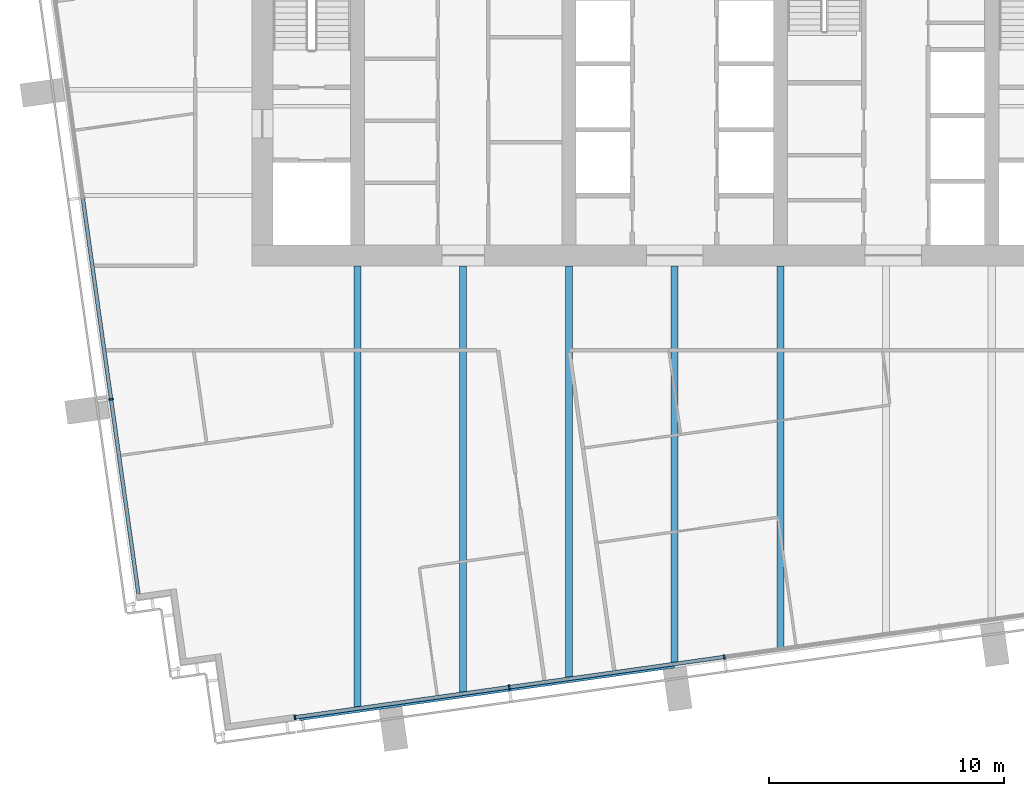
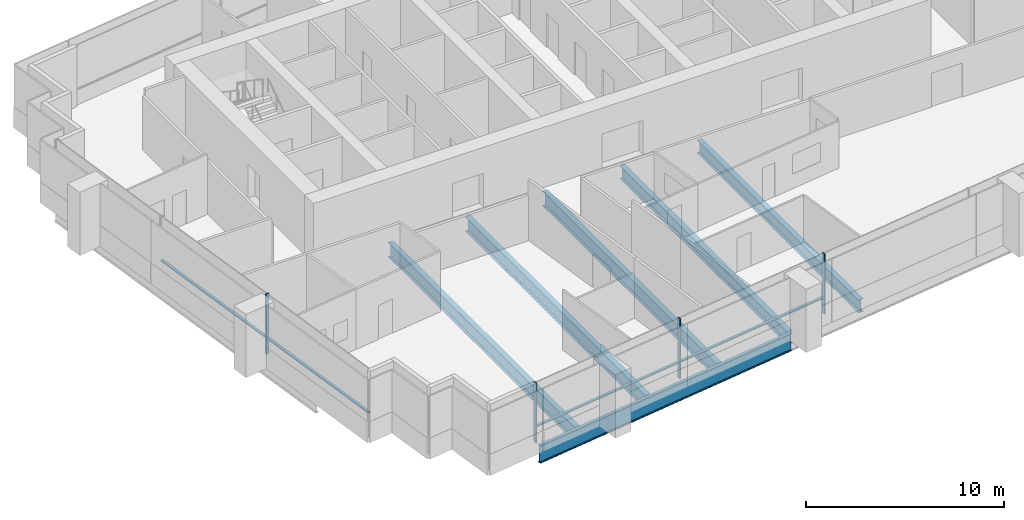
# One storey, part 2 of 15: 8 members, 6 beams, 2 elements without a shape of their own.
"""IFC4 building model written with IfcOpenShell, lengths in metres."""

from ifc_helpers import new_model, si_unit, direction, frame, origin, origin_2d, place, context, subcontext, project, spatial, rectangle, i_section, extrude, material, layer, layer_set, material_profile, profile_set, type_object, element, aggregate, save


model = new_model("IFC4")

# Units and contexts
model_context = context("Model", 3, precision=1e-05, world=origin(), true_north=direction((0.0, 1.0)))
body_context = subcontext(model_context, "Body", "Model", "MODEL_VIEW")
ifc_project = project(units=[si_unit("LENGTHUNIT", "METRE"), si_unit("AREAUNIT", "SQUARE_METRE"), si_unit("VOLUMEUNIT", "CUBIC_METRE"), si_unit("PLANEANGLEUNIT", "RADIAN"), si_unit("MASSUNIT", "GRAM", prefix="KILO")], contexts=[model_context])

# Site, building, storey
site_placement = place(None, origin())
site = spatial("IfcSite", under=ifc_project, at=site_placement, CompositionType="ELEMENT")
building_placement = place(site_placement, origin())
building = spatial("IfcBuilding", under=site, at=building_placement, Name="Rattan Terrace Tower", CompositionType="ELEMENT")
storey_placement = place(building_placement, frame((0.0, 0.0, 262.89990234375)))
storey = spatial("IfcBuildingStorey", under=building, at=storey_placement, Name="L60", CompositionType="ELEMENT", Elevation=262.89990234375)

# Beams
ifc_material_1 = material(Name="Steel S460", Category="steel")
ifc_material_profile_1 = material_profile(ifc_material_1, i_section(OverallWidth=0.179931640625, OverallDepth=1.10009765625, WebThickness=0.01611328125, FlangeThickness=0.050048828125, at=origin_2d()), Name="PG 1100x180-16-50")
ifc_profile_set_1 = profile_set([ifc_material_profile_1], Name="Steel S460")
beam_type_1 = type_object("IfcBeamType", Name="Frame edge girder PG 1100x180-16-50", PredefinedType="SPANDREL", material=ifc_profile_set_1)
beam_1_placement = place(storey_placement, frame((-15.969970703125, -26.77099609375, -0.75), z_axis=(0.990265456284, 0.139191688294, 0.0), x_axis=(-0.139191688294, 0.990265456284, 0.0)))
element("IfcBeam", 1, at=beam_1_placement, inside=storey, type_object=beam_type_1, Name="gdr-L60-001", PredefinedType="SPANDREL", context=body_context, shape_type="SweptSolid", body=[
    extrude(i_section(OverallWidth=0.179931640625, OverallDepth=1.10009765625, WebThickness=0.01611328125, FlangeThickness=0.050048828125, at=origin_2d()), origin(), (0.0, 0.0, 1.0), 16.114013671875),
])
ifc_material_2 = material(Name="Steel S355", Category="steel")
ifc_material_profile_2 = material_profile(ifc_material_2, i_section(OverallWidth=0.300048828125, OverallDepth=0.800048828125, WebThickness=0.017578125, FlangeThickness=0.032958984375, FilletRadius=0.030029296875, at=origin_2d()), Name="HE 800 B")
ifc_profile_set_2 = profile_set([ifc_material_profile_2], Name="Steel S355")
beam_type_2 = type_object("IfcBeamType", Name="Frame floor beam HE 800 B", PredefinedType="JOIST", material=ifc_profile_set_2)
beam_2_placement = place(storey_placement, frame((0.0, -24.4140625, -0.599853515625), z_axis=(0.0, 1.0, 0.0), x_axis=(-1.0, 0.0, 0.0)))
element("IfcBeam", 2, at=beam_2_placement, inside=storey, type_object=beam_type_2, Name="bm-L60-006", PredefinedType="JOIST", context=body_context, shape_type="SweptSolid", body=[
    extrude(i_section(OverallWidth=0.300048828125, OverallDepth=0.800048828125, WebThickness=0.017578125, FlangeThickness=0.032958984375, FilletRadius=0.030029296875, at=origin_2d()), origin(), (0.0, 0.0, 1.0), 16.9140625),
])
beam_3_placement = place(storey_placement, frame((4.5, -23.781982421875, -0.599853515625), z_axis=(0.0, 1.0, 0.0), x_axis=(-1.0, 0.0, 0.0)))
element("IfcBeam", 3, at=beam_3_placement, inside=storey, type_object=beam_type_2, Name="bm-L60-007", PredefinedType="JOIST", context=body_context, shape_type="SweptSolid", body=[
    extrude(i_section(OverallWidth=0.300048828125, OverallDepth=0.800048828125, WebThickness=0.017578125, FlangeThickness=0.032958984375, FilletRadius=0.030029296875, at=origin_2d()), origin(), (0.0, 0.0, 1.0), 16.281982421875),
])
ifc_material_3 = material(Name="Steel S355", Category="steel")
ifc_material_profile_3 = material_profile(ifc_material_3, i_section(OverallWidth=0.300048828125, OverallDepth=0.89990234375, WebThickness=0.0185546875, FlangeThickness=0.034912109375, FilletRadius=0.030029296875, at=origin_2d()), Name="HE 900 B")
ifc_profile_set_3 = profile_set([ifc_material_profile_3], Name="Steel S355")
beam_type_3 = type_object("IfcBeamType", Name="Frame floor beam HE 900 B", PredefinedType="JOIST", material=ifc_profile_set_3)
beam_4_placement = place(storey_placement, frame((-13.5, -26.31201171875, -0.64990234375), z_axis=(0.0, 1.0, 0.0), x_axis=(-1.0, 0.0, 0.0)))
element("IfcBeam", 4, at=beam_4_placement, inside=storey, type_object=beam_type_3, Name="bm-L60-003", PredefinedType="JOIST", context=body_context, shape_type="SweptSolid", body=[
    extrude(i_section(OverallWidth=0.300048828125, OverallDepth=0.89990234375, WebThickness=0.0185546875, FlangeThickness=0.034912109375, FilletRadius=0.030029296875, at=origin_2d()), origin(), (0.0, 0.0, 1.0), 18.81201171875),
])
beam_5_placement = place(storey_placement, frame((-9.0, -25.678955078125, -0.64990234375), z_axis=(0.0, 1.0, 0.0), x_axis=(-1.0, 0.0, 0.0)))
element("IfcBeam", 5, at=beam_5_placement, inside=storey, type_object=beam_type_3, Name="bm-L60-004", PredefinedType="JOIST", context=body_context, shape_type="SweptSolid", body=[
    extrude(i_section(OverallWidth=0.300048828125, OverallDepth=0.89990234375, WebThickness=0.0185546875, FlangeThickness=0.034912109375, FilletRadius=0.030029296875, at=origin_2d()), origin(), (0.0, 0.0, 1.0), 18.178955078125),
])
beam_6_placement = place(storey_placement, frame((-4.5, -25.047119140625, -0.64990234375), z_axis=(0.0, 1.0, 0.0), x_axis=(-1.0, 0.0, 0.0)))
element("IfcBeam", 6, at=beam_6_placement, inside=storey, type_object=beam_type_3, Name="bm-L60-005", PredefinedType="JOIST", context=body_context, shape_type="SweptSolid", body=[
    extrude(i_section(OverallWidth=0.300048828125, OverallDepth=0.89990234375, WebThickness=0.0185546875, FlangeThickness=0.034912109375, FilletRadius=0.030029296875, at=origin_2d()), origin(), (0.0, 0.0, 1.0), 17.547119140625),
])

# Curtain wall, member
ifc_material_4 = material(Name="Aluminium and laminated glass", Category="aluminium")
ifc_layer = layer(ifc_material_4, 0.199951171875)
ifc_layer_set = layer_set([ifc_layer], Name="High-Zone Unitised Curtain Wall")
curtain_wall_type = type_object("IfcCurtainWallType", Name="High-Zone Unitised Curtain Wall", PredefinedType="NOTDEFINED", material=ifc_layer_set)
curtain_wall_1_placement = place(storey_placement, origin())
curtain_wall_1 = element("IfcCurtainWall", 7, at=curtain_wall_1_placement, inside=storey, type_object=curtain_wall_type, Name="High-zone curtain wall L60-3", PredefinedType="NOTDEFINED")
ifc_material_5 = material(Name="Aluminium", Category="aluminium")
ifc_material_profile_4 = material_profile(ifc_material_5, rectangle(XDim=0.070068359375, YDim=0.199951171875, at=origin_2d()), Name="Aluminium 70x200")
ifc_profile_set_4 = profile_set([ifc_material_profile_4], Name="Aluminium")
member_type_1 = type_object("IfcMemberType", Name="High-Zone CW Mullion 70x200", PredefinedType="MULLION", material=ifc_profile_set_4)
member_1_placement = place(storey_placement, frame((-23.989990234375, -13.177490234375, 0.0), z_axis=(0.0, 0.0, 1.0), x_axis=(0.139191775431, -0.990265444036, 0.0)))
member_1 = element("IfcMember", 8, at=member_1_placement, type_object=member_type_1, Name="Mullion cwl-L60-003.3", PredefinedType="MULLION", context=body_context, shape_type="SweptSolid", body=[
    extrude(rectangle(XDim=0.070068359375, YDim=0.199951171875, at=origin_2d()), origin(), (0.0, 0.0, 1.0), 3.7001953125),
])

# Curtain wall, members
curtain_wall_2_placement = place(storey_placement, origin())
curtain_wall_2 = element("IfcCurtainWall", 9, at=curtain_wall_2_placement, inside=storey, type_object=curtain_wall_type, Name="High-zone curtain wall L60-4", PredefinedType="NOTDEFINED")
member_2_placement = place(storey_placement, frame((-16.1650390625, -26.716796875, 0.0), z_axis=(0.0, 0.0, 1.0), x_axis=(0.990265894013, 0.139188574079, 0.0)))
member_2 = element("IfcMember", 10, at=member_2_placement, type_object=member_type_1, Name="Mullion cwl-L60-004.1", PredefinedType="MULLION", context=body_context, shape_type="SweptSolid", body=[
    extrude(rectangle(XDim=0.070068359375, YDim=0.199951171875, at=origin_2d()), origin(), (0.0, 0.0, 1.0), 3.7001953125),
])
member_3_placement = place(storey_placement, frame((-7.040771484375, -25.434326171875, 0.0), z_axis=(0.0, 0.0, 1.0), x_axis=(0.990265894013, 0.139188574079, 0.0)))
member_3 = element("IfcMember", 11, at=member_3_placement, type_object=member_type_1, Name="Mullion cwl-L60-004.2", PredefinedType="MULLION", context=body_context, shape_type="SweptSolid", body=[
    extrude(rectangle(XDim=0.070068359375, YDim=0.199951171875, at=origin_2d()), origin(), (0.0, 0.0, 1.0), 3.7001953125),
])
member_4_placement = place(storey_placement, frame((2.1181640625, -24.14697265625, 0.0), z_axis=(0.0, 0.0, 1.0), x_axis=(0.990265894013, 0.139188574079, 0.0)))
member_4 = element("IfcMember", 12, at=member_4_placement, type_object=member_type_1, Name="Mullion cwl-L60-004.3", PredefinedType="MULLION", context=body_context, shape_type="SweptSolid", body=[
    extrude(rectangle(XDim=0.070068359375, YDim=0.199951171875, at=origin_2d()), origin(), (0.0, 0.0, 1.0), 3.7001953125),
])

# Member
ifc_material_6 = material(Name="Aluminium", Category="aluminium")
ifc_material_profile_5 = material_profile(ifc_material_6, rectangle(XDim=0.159912109375, YDim=0.070068359375, at=origin_2d()), Name="Aluminium 160x70")
ifc_profile_set_5 = profile_set([ifc_material_profile_5], Name="Aluminium")
member_type_2 = type_object("IfcMemberType", Name="High-Zone CW Transom 160x70", PredefinedType="USERDEFINED", material=ifc_profile_set_5)
member_5_placement = place(storey_placement, frame((-25.19140625, -4.629638671875, 1.0), z_axis=(0.139182599995, -0.990266733693, 0.0), x_axis=(0.990266733693, 0.139182599995, 0.0)))
member_5 = element("IfcMember", 13, at=member_5_placement, type_object=member_type_2, Name="Transom cwl-L60-003.2", ObjectType="TRANSOM", PredefinedType="USERDEFINED", context=body_context, shape_type="SweptSolid", body=[
    extrude(rectangle(XDim=0.159912109375, YDim=0.070068359375, at=origin_2d()), origin(), (0.0, 0.0, 1.0), 8.596923828125),
])

member_6_placement = place(storey_placement, frame((-23.985107421875, -13.212158203125, 1.0), z_axis=(0.139198740199, -0.990264465043, 0.0), x_axis=(0.990264465043, 0.139198740199, 0.0)))
member_6 = element("IfcMember", 14, at=member_6_placement, type_object=member_type_2, Name="Transom cwl-L60-003.3", ObjectType="TRANSOM", PredefinedType="USERDEFINED", context=body_context, shape_type="SweptSolid", body=[
    extrude(rectangle(XDim=0.159912109375, YDim=0.070068359375, at=origin_2d()), origin(), (0.0, 0.0, 1.0), 8.336181640625),
])

aggregate(curtain_wall_1, [member_1, member_5, member_6])

member_7_placement = place(storey_placement, frame((-16.13037109375, -26.7119140625, 1.0), z_axis=(0.990266298783, 0.139185694291, 0.0), x_axis=(-0.139185694291, 0.990266298783, 0.0)))
member_7 = element("IfcMember", 15, at=member_7_placement, type_object=member_type_2, Name="Transom cwl-L60-004.1", ObjectType="TRANSOM", PredefinedType="USERDEFINED", context=body_context, shape_type="SweptSolid", body=[
    extrude(rectangle(XDim=0.159912109375, YDim=0.070068359375, at=origin_2d()), origin(), (0.0, 0.0, 1.0), 9.14404296875),
])

member_8_placement = place(storey_placement, frame((-7.006103515625, -25.429443359375, 1.0), z_axis=(0.990266147156, 0.139186773067, 0.0), x_axis=(-0.139186773067, 0.990266147156, 0.0)))
member_8 = element("IfcMember", 16, at=member_8_placement, type_object=member_type_2, Name="Transom cwl-L60-004.2", ObjectType="TRANSOM", PredefinedType="USERDEFINED", context=body_context, shape_type="SweptSolid", body=[
    extrude(rectangle(XDim=0.159912109375, YDim=0.070068359375, at=origin_2d()), origin(), (0.0, 0.0, 1.0), 9.178955078125),
])

aggregate(curtain_wall_2, [member_2, member_3, member_4, member_7, member_8])

save(model, "model.ifc")
